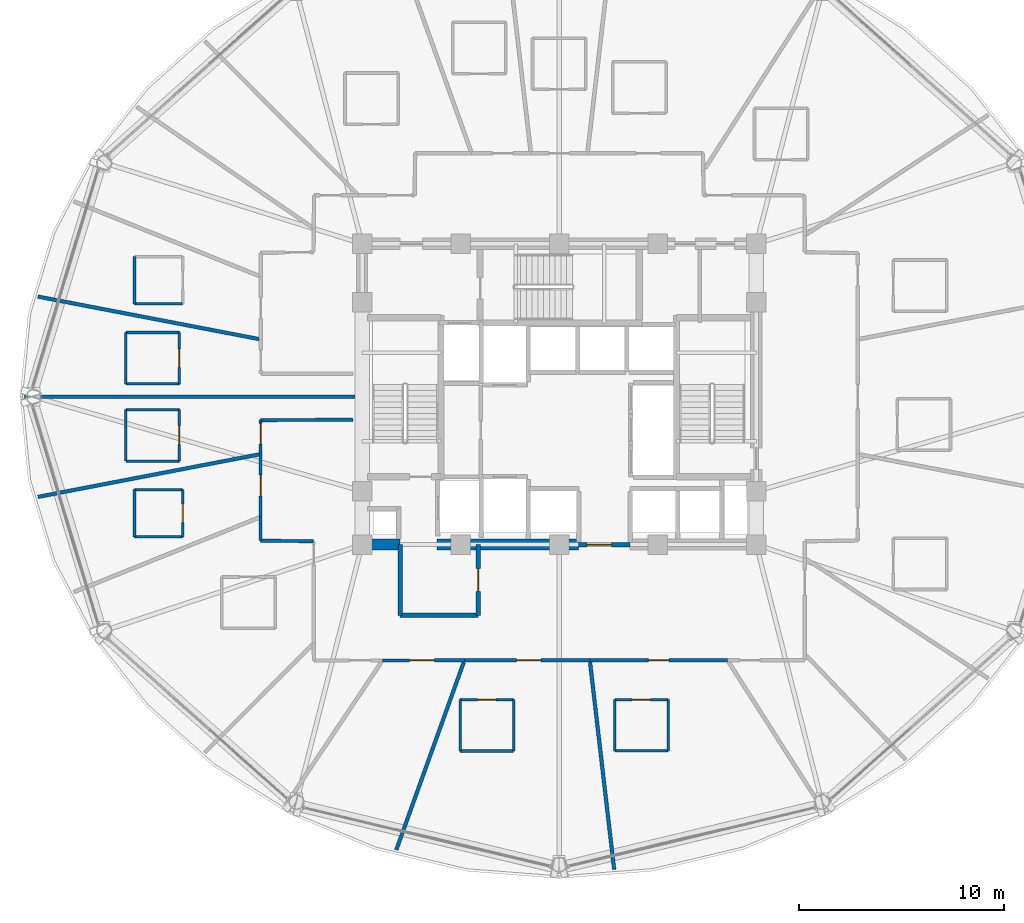
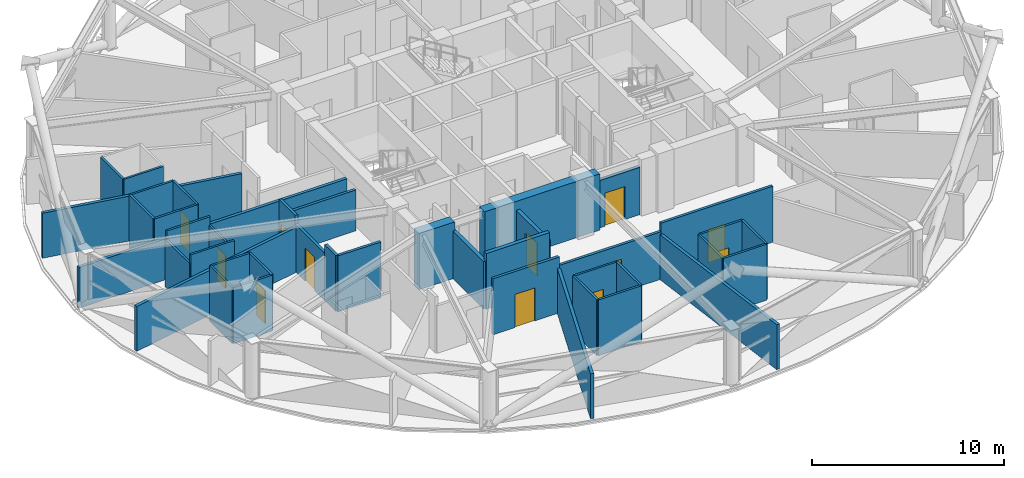
# One storey, part 24 of 32: 41 walls, 12 doors, 12 openings.
"""IFC4 building model written with IfcOpenShell, lengths in metres."""

from ifc_helpers import new_model, si_unit, direction, frame, frame_2d, origin, place, context, subcontext, project, spatial, rectangle, extrude, material, layer, layer_set, type_object, element, fill, save


model = new_model("IFC4")

# Units and contexts
model_context = context("Model", 3, precision=1e-05, world=origin(), true_north=direction((0.0, 1.0)))
body_context = subcontext(model_context, "Body", "Model", "MODEL_VIEW")
ifc_project = project(units=[si_unit("LENGTHUNIT", "METRE"), si_unit("AREAUNIT", "SQUARE_METRE"), si_unit("VOLUMEUNIT", "CUBIC_METRE"), si_unit("PLANEANGLEUNIT", "RADIAN"), si_unit("MASSUNIT", "GRAM", prefix="KILO")], contexts=[model_context])

# Site, building, storey
site_placement = place(None, origin())
site = spatial("IfcSite", under=ifc_project, at=site_placement, CompositionType="ELEMENT")
building_placement = place(site_placement, origin())
building = spatial("IfcBuilding", under=site, at=building_placement, Name="Vantalir Tower", CompositionType="ELEMENT")
storey_placement = place(building_placement, frame((0.0, 0.0, 104.699951171875)))
storey = spatial("IfcBuildingStorey", under=building, at=storey_placement, Name="L25", CompositionType="ELEMENT", Elevation=104.699951171875)

# Walls
ifc_material_1 = material(Name="Moisture-resistant en-suite partition", Category="gypsum")
ifc_layer_1 = layer(ifc_material_1, 0.125)
ifc_layer_set_1 = layer_set([ifc_layer_1], Name="Moisture-resistant en-suite partition")
wall_type_1 = type_object("IfcWallType", Name="WL-BATH-125", PredefinedType="PARTITIONING", material=ifc_layer_set_1)
wall_1_placement = place(storey_placement, frame((10.81396484375, 29.529052734375, 0.0), z_axis=(0.0, 0.0, 1.0), x_axis=(1.0, 0.0, 0.0)))
element("IfcWall", 1, at=wall_1_placement, inside=storey, type_object=wall_type_1, Name="L25 En-suite 09 South Wall", PredefinedType="PARTITIONING", context=body_context, shape_type="SweptSolid", body=[
    extrude(rectangle(XDim=2.35009765625, YDim=0.125, at=frame_2d((1.175048828125, 0.0))), origin(), (0.0, 0.0, 1.0), 3.550048828125),
])
wall_2_placement = place(storey_placement, frame((10.81396484375, 29.529052734375, 0.0), z_axis=(0.0, 0.0, 1.0), x_axis=(0.0, 1.0, 0.0)))
element("IfcWall", 2, at=wall_2_placement, inside=storey, type_object=wall_type_1, Name="L25 En-suite 09 West Wall", PredefinedType="PARTITIONING", context=body_context, shape_type="SweptSolid", body=[
    extrude(rectangle(XDim=2.300048828125, YDim=0.125, at=frame_2d((1.14990234375, 0.0))), origin(), (0.0, 0.0, 1.0), 3.550048828125),
])
for number, where, z_axis, x_axis, name in (
    (3, (10.39501953125, 25.631103515625, 0.0), (0.0, 0.0, 1.0), (1.0, 0.0, 0.0), "L25 En-suite 10 South Wall"),
    (4, (10.39501953125, 28.131103515625, 0.0), (0.0, 0.0, 1.0), (1.0, 0.0, 0.0), "L25 En-suite 10 North Wall"),
):
    element("IfcWall", number, at=place(storey_placement, frame(where, z_axis=z_axis, x_axis=x_axis)), inside=storey, type_object=wall_type_1, Name=name, PredefinedType="PARTITIONING", context=body_context, shape_type="SweptSolid", body=[
        extrude(rectangle(XDim=2.60009765625, YDim=0.125, at=frame_2d((1.300048828125, 0.0))), origin(), (0.0, 0.0, 1.0), 3.550048828125),
    ])
wall_3_placement = place(storey_placement, frame((10.39501953125, 25.631103515625, 0.0), z_axis=(0.0, 0.0, 1.0), x_axis=(0.0, 1.0, 0.0)))
element("IfcWall", 5, at=wall_3_placement, inside=storey, type_object=wall_type_1, Name="L25 En-suite 10 West Wall", PredefinedType="PARTITIONING", context=body_context, shape_type="SweptSolid", body=[
    extrude(rectangle(XDim=2.5, YDim=0.125, at=frame_2d((1.25, 0.0))), origin(), (0.0, 0.0, 1.0), 3.550048828125),
])

# Wall, opening, door
wall_4_placement = place(storey_placement, frame((12.9951171875, 25.631103515625, 0.0), z_axis=(0.0, 0.0, 1.0), x_axis=(0.0, 1.0, 0.0)))
wall_4 = element("IfcWall", 6, at=wall_4_placement, inside=storey, type_object=wall_type_1, Name="L25 En-suite 10 East Wall", PredefinedType="PARTITIONING", context=body_context, shape_type="SweptSolid", body=[
    extrude(rectangle(XDim=2.5, YDim=0.125, at=frame_2d((1.25, 0.0))), origin(), (0.0, 0.0, 1.0), 3.550048828125),
])
opening_1_placement = place(wall_4_placement, frame((0.800048828125, 0.0, 0.0)))
opening_1 = element("IfcOpeningElement", 7, at=opening_1_placement, cuts=wall_4, Name="Opening D-WC", PredefinedType="OPENING", context=body_context, shape_type="SweptSolid", body=[
    extrude(rectangle(XDim=0.89990234375, YDim=2.10009765625, at=frame_2d((0.449951171875, 1.050048828125))), frame((0.0, 0.072509765625, 0.0), z_axis=(0.0, -1.0, 0.0), x_axis=(1.0, 0.0, 0.0)), (0.0, 0.0, 1.0), 0.14501953125),
])
ifc_material_2 = material(Name="Moisture-resistant hardwood door", Category="wood")
door_type_1 = type_object("IfcDoorType", Name="DR-ENSUITE-900", OperationType="NOTDEFINED", PredefinedType="DOOR", material=ifc_material_2)
door_1_placement = place(opening_1_placement, origin())
door_1 = element("IfcDoor", 8, at=door_1_placement, inside=storey, type_object=door_type_1, Name="L25 En-suite 10 Door", OperationType="SINGLE_SWING_RIGHT", OverallHeight=2.10009765625, OverallWidth=0.89990234375, PredefinedType="DOOR", context=body_context, shape_type="SweptSolid", body=[
    extrude(rectangle(XDim=0.89990234375, YDim=2.10009765625, at=frame_2d((0.449951171875, 1.050048828125))), frame((0.0, 0.02490234375, 0.0), z_axis=(0.0, -1.0, 0.0), x_axis=(1.0, 0.0, 0.0)), (0.0, 0.0, 1.0), 0.050048828125),
])
fill(opening_1, door_1)

# Walls
for number, where, z_axis, x_axis, name in (
    (9, (10.39501953125, 21.868896484375, 0.0), (0.0, 0.0, 1.0), (1.0, 0.0, 0.0), "L25 En-suite 11 South Wall"),
    (10, (10.39501953125, 24.368896484375, 0.0), (0.0, 0.0, 1.0), (1.0, 0.0, 0.0), "L25 En-suite 11 North Wall"),
):
    element("IfcWall", number, at=place(storey_placement, frame(where, z_axis=z_axis, x_axis=x_axis)), inside=storey, type_object=wall_type_1, Name=name, PredefinedType="PARTITIONING", context=body_context, shape_type="SweptSolid", body=[
        extrude(rectangle(XDim=2.60009765625, YDim=0.125, at=frame_2d((1.300048828125, 0.0))), origin(), (0.0, 0.0, 1.0), 3.550048828125),
    ])
wall_5_placement = place(storey_placement, frame((10.39501953125, 21.868896484375, 0.0), z_axis=(0.0, 0.0, 1.0), x_axis=(0.0, 1.0, 0.0)))
element("IfcWall", 11, at=wall_5_placement, inside=storey, type_object=wall_type_1, Name="L25 En-suite 11 West Wall", PredefinedType="PARTITIONING", context=body_context, shape_type="SweptSolid", body=[
    extrude(rectangle(XDim=2.5, YDim=0.125, at=frame_2d((1.25, 0.0))), origin(), (0.0, 0.0, 1.0), 3.006103515625),
])

# Wall, opening, door
wall_6_placement = place(storey_placement, frame((12.9951171875, 21.868896484375, 0.0), z_axis=(0.0, 0.0, 1.0), x_axis=(0.0, 1.0, 0.0)))
wall_6 = element("IfcWall", 12, at=wall_6_placement, inside=storey, type_object=wall_type_1, Name="L25 En-suite 11 East Wall", PredefinedType="PARTITIONING", context=body_context, shape_type="SweptSolid", body=[
    extrude(rectangle(XDim=2.5, YDim=0.125, at=frame_2d((1.25, 0.0))), origin(), (0.0, 0.0, 1.0), 3.006103515625),
])
opening_2_placement = place(wall_6_placement, frame((0.800048828125, 0.0, 0.0)))
opening_2 = element("IfcOpeningElement", 13, at=opening_2_placement, cuts=wall_6, Name="Opening D-WC", PredefinedType="OPENING", context=body_context, shape_type="SweptSolid", body=[
    extrude(rectangle(XDim=0.89990234375, YDim=2.10009765625, at=frame_2d((0.449951171875, 1.050048828125))), frame((0.0, 0.072509765625, 0.0), z_axis=(0.0, -1.0, 0.0), x_axis=(1.0, 0.0, 0.0)), (0.0, 0.0, 1.0), 0.14501953125),
])
door_2_placement = place(opening_2_placement, origin())
door_2 = element("IfcDoor", 14, at=door_2_placement, inside=storey, type_object=door_type_1, Name="L25 En-suite 11 Door", OperationType="SINGLE_SWING_LEFT", OverallHeight=2.10009765625, OverallWidth=0.89990234375, PredefinedType="DOOR", context=body_context, shape_type="SweptSolid", body=[
    extrude(rectangle(XDim=0.89990234375, YDim=2.10009765625, at=frame_2d((0.449951171875, 1.050048828125))), frame((0.0, 0.02490234375, 0.0), z_axis=(0.0, -1.0, 0.0), x_axis=(1.0, 0.0, 0.0)), (0.0, 0.0, 1.0), 0.050048828125),
])
fill(opening_2, door_2)

# Walls
for number, where, z_axis, x_axis, name in (
    (15, (10.81396484375, 18.1708984375, 0.0), (0.0, 0.0, 1.0), (1.0, 0.0, 0.0), "L25 En-suite 12 South Wall"),
    (16, (10.81396484375, 20.470947265625, 0.0), (0.0, 0.0, 1.0), (1.0, 0.0, 0.0), "L25 En-suite 12 North Wall"),
):
    element("IfcWall", number, at=place(storey_placement, frame(where, z_axis=z_axis, x_axis=x_axis)), inside=storey, type_object=wall_type_1, Name=name, PredefinedType="PARTITIONING", context=body_context, shape_type="SweptSolid", body=[
        extrude(rectangle(XDim=2.35009765625, YDim=0.125, at=frame_2d((1.175048828125, 0.0))), origin(), (0.0, 0.0, 1.0), 3.550048828125),
    ])
wall_7_placement = place(storey_placement, frame((10.81396484375, 18.1708984375, 0.0), z_axis=(0.0, 0.0, 1.0), x_axis=(0.0, 1.0, 0.0)))
element("IfcWall", 17, at=wall_7_placement, inside=storey, type_object=wall_type_1, Name="L25 En-suite 12 West Wall", PredefinedType="PARTITIONING", context=body_context, shape_type="SweptSolid", body=[
    extrude(rectangle(XDim=2.300048828125, YDim=0.125, at=frame_2d((1.14990234375, 0.0))), origin(), (0.0, 0.0, 1.0), 3.550048828125),
])

# Wall, opening, door
wall_8_placement = place(storey_placement, frame((13.1640625, 18.1708984375, 0.0), z_axis=(0.0, 0.0, 1.0), x_axis=(0.0, 1.0, 0.0)))
wall_8 = element("IfcWall", 18, at=wall_8_placement, inside=storey, type_object=wall_type_1, Name="L25 En-suite 12 East Wall", PredefinedType="PARTITIONING", context=body_context, shape_type="SweptSolid", body=[
    extrude(rectangle(XDim=2.300048828125, YDim=0.125, at=frame_2d((1.14990234375, 0.0))), origin(), (0.0, 0.0, 1.0), 3.550048828125),
])
opening_3_placement = place(wall_8_placement, frame((0.699951171875, 0.0, 0.0)))
opening_3 = element("IfcOpeningElement", 19, at=opening_3_placement, cuts=wall_8, Name="Opening D-WC", PredefinedType="OPENING", context=body_context, shape_type="SweptSolid", body=[
    extrude(rectangle(XDim=0.89990234375, YDim=2.10009765625, at=frame_2d((0.449951171875, 1.050048828125))), frame((0.0, 0.072509765625, 0.0), z_axis=(0.0, -1.0, 0.0), x_axis=(1.0, 0.0, 0.0)), (0.0, 0.0, 1.0), 0.14501953125),
])
door_3_placement = place(opening_3_placement, origin())
door_3 = element("IfcDoor", 20, at=door_3_placement, inside=storey, type_object=door_type_1, Name="L25 En-suite 12 Door", OperationType="SINGLE_SWING_RIGHT", OverallHeight=2.10009765625, OverallWidth=0.89990234375, PredefinedType="DOOR", context=body_context, shape_type="SweptSolid", body=[
    extrude(rectangle(XDim=0.89990234375, YDim=2.10009765625, at=frame_2d((0.449951171875, 1.050048828125))), frame((0.0, 0.02490234375, 0.0), z_axis=(0.0, -1.0, 0.0), x_axis=(1.0, 0.0, 0.0)), (0.0, 0.0, 1.0), 0.050048828125),
])
fill(opening_3, door_3)

# Wall
wall_9_placement = place(storey_placement, frame((26.679931640625, 7.74609375, 0.0), z_axis=(0.0, 0.0, 1.0), x_axis=(1.0, 0.0, 0.0)))
element("IfcWall", 21, at=wall_9_placement, inside=storey, type_object=wall_type_1, Name="L25 En-suite 16 South Wall", PredefinedType="PARTITIONING", context=body_context, shape_type="SweptSolid", body=[
    extrude(rectangle(XDim=2.60009765625, YDim=0.125, at=frame_2d((1.300048828125, 0.0))), origin(), (0.0, 0.0, 1.0), 3.550048828125),
])

# Wall, opening, door
wall_10_placement = place(storey_placement, frame((26.679931640625, 10.24609375, 0.0), z_axis=(0.0, 0.0, 1.0), x_axis=(1.0, 0.0, 0.0)))
wall_10 = element("IfcWall", 22, at=wall_10_placement, inside=storey, type_object=wall_type_1, Name="L25 En-suite 16 North Wall", PredefinedType="PARTITIONING", context=body_context, shape_type="SweptSolid", body=[
    extrude(rectangle(XDim=2.60009765625, YDim=0.125, at=frame_2d((1.300048828125, 0.0))), origin(), (0.0, 0.0, 1.0), 3.550048828125),
])
opening_4_placement = place(wall_10_placement, frame((0.85009765625, 0.0, 0.0)))
opening_4 = element("IfcOpeningElement", 23, at=opening_4_placement, cuts=wall_10, Name="Opening D-WC", PredefinedType="OPENING", context=body_context, shape_type="SweptSolid", body=[
    extrude(rectangle(XDim=0.89990234375, YDim=2.10009765625, at=frame_2d((0.449951171875, 1.050048828125))), frame((0.0, 0.072509765625, 0.0), z_axis=(0.0, -1.0, 0.0), x_axis=(1.0, 0.0, 0.0)), (0.0, 0.0, 1.0), 0.14501953125),
])
door_4_placement = place(opening_4_placement, frame((0.89990234375, 0.0, 0.0), z_axis=(0.0, 0.0, 1.0), x_axis=(-1.0, 0.0, 0.0)))
door_4 = element("IfcDoor", 24, at=door_4_placement, inside=storey, type_object=door_type_1, Name="L25 En-suite 16 Door", OperationType="SINGLE_SWING_RIGHT", OverallHeight=2.10009765625, OverallWidth=0.89990234375, PredefinedType="DOOR", context=body_context, shape_type="SweptSolid", body=[
    extrude(rectangle(XDim=0.89990234375, YDim=2.10009765625, at=frame_2d((0.449951171875, 1.050048828125))), frame((0.0, 0.02490234375, 0.0), z_axis=(0.0, -1.0, 0.0), x_axis=(1.0, 0.0, 0.0)), (0.0, 0.0, 1.0), 0.050048828125),
])
fill(opening_4, door_4)

# Walls
for number, where, z_axis, x_axis, name in (
    (25, (26.679931640625, 7.74609375, 0.0), (0.0, 0.0, 1.0), (0.0, 1.0, 0.0), "L25 En-suite 16 West Wall"),
    (26, (29.280029296875, 7.74609375, 0.0), (0.0, 0.0, 1.0), (0.0, 1.0, 0.0), "L25 En-suite 16 East Wall"),
):
    element("IfcWall", number, at=place(storey_placement, frame(where, z_axis=z_axis, x_axis=x_axis)), inside=storey, type_object=wall_type_1, Name=name, PredefinedType="PARTITIONING", context=body_context, shape_type="SweptSolid", body=[
        extrude(rectangle(XDim=2.5, YDim=0.125, at=frame_2d((1.25, 0.0))), origin(), (0.0, 0.0, 1.0), 3.550048828125),
    ])
wall_11_placement = place(storey_placement, frame((34.20703125, 7.7509765625, 0.0), z_axis=(0.0, 0.0, 1.0), x_axis=(1.0, 0.0, 0.0)))
element("IfcWall", 27, at=wall_11_placement, inside=storey, type_object=wall_type_1, Name="L25 En-suite 17 South Wall", PredefinedType="PARTITIONING", context=body_context, shape_type="SweptSolid", body=[
    extrude(rectangle(XDim=2.599853515625, YDim=0.125, at=frame_2d((1.2998046875, 0.0))), origin(), (0.0, 0.0, 1.0), 3.550048828125),
])

# Wall, opening, door
wall_12_placement = place(storey_placement, frame((34.20703125, 10.2509765625, 0.0), z_axis=(0.0, 0.0, 1.0), x_axis=(1.0, 0.0, 0.0)))
wall_12 = element("IfcWall", 28, at=wall_12_placement, inside=storey, type_object=wall_type_1, Name="L25 En-suite 17 North Wall", PredefinedType="PARTITIONING", context=body_context, shape_type="SweptSolid", body=[
    extrude(rectangle(XDim=2.599853515625, YDim=0.125, at=frame_2d((1.2998046875, 0.0))), origin(), (0.0, 0.0, 1.0), 3.550048828125),
])
opening_5_placement = place(wall_12_placement, frame((0.85009765625, 0.0, 0.0)))
opening_5 = element("IfcOpeningElement", 29, at=opening_5_placement, cuts=wall_12, Name="Opening D-WC", PredefinedType="OPENING", context=body_context, shape_type="SweptSolid", body=[
    extrude(rectangle(XDim=0.89990234375, YDim=2.10009765625, at=frame_2d((0.449951171875, 1.050048828125))), frame((0.0, 0.072509765625, 0.0), z_axis=(0.0, -1.0, 0.0), x_axis=(1.0, 0.0, 0.0)), (0.0, 0.0, 1.0), 0.14501953125),
])
door_5_placement = place(opening_5_placement, frame((0.89990234375, 0.0, 0.0), z_axis=(0.0, 0.0, 1.0), x_axis=(-1.0, 0.0, 0.0)))
door_5 = element("IfcDoor", 30, at=door_5_placement, inside=storey, type_object=door_type_1, Name="L25 En-suite 17 Door", OperationType="SINGLE_SWING_LEFT", OverallHeight=2.10009765625, OverallWidth=0.89990234375, PredefinedType="DOOR", context=body_context, shape_type="SweptSolid", body=[
    extrude(rectangle(XDim=0.89990234375, YDim=2.10009765625, at=frame_2d((0.449951171875, 1.050048828125))), frame((0.0, 0.02490234375, 0.0), z_axis=(0.0, -1.0, 0.0), x_axis=(1.0, 0.0, 0.0)), (0.0, 0.0, 1.0), 0.050048828125),
])
fill(opening_5, door_5)

# Walls
for number, where, z_axis, x_axis, name in (
    (31, (34.20703125, 7.7509765625, 0.0), (0.0, 0.0, 1.0), (0.0, 1.0, 0.0), "L25 En-suite 17 West Wall"),
    (32, (36.806884765625, 7.7509765625, 0.0), (0.0, 0.0, 1.0), (0.0, 1.0, 0.0), "L25 En-suite 17 East Wall"),
):
    element("IfcWall", number, at=place(storey_placement, frame(where, z_axis=z_axis, x_axis=x_axis)), inside=storey, type_object=wall_type_1, Name=name, PredefinedType="PARTITIONING", context=body_context, shape_type="SweptSolid", body=[
        extrude(rectangle(XDim=2.5, YDim=0.125, at=frame_2d((1.25, 0.0))), origin(), (0.0, 0.0, 1.0), 3.550048828125),
    ])
ifc_material_3 = material(Name="Concrete C60/75", Category="concrete")
ifc_layer_2 = layer(ifc_material_3, 0.550048828125)
ifc_layer_set_2 = layer_set([ifc_layer_2], Name="Concrete C60/75")
wall_type_2 = type_object("IfcWallType", Name="WL-CORE-550", PredefinedType="SHEAR", material=ifc_layer_set_2)
wall_13_placement = place(storey_placement, frame((21.625, 17.800048828125, 0.0), z_axis=(0.0, 0.0, 1.0), x_axis=(1.0, 0.0, 0.0)))
element("IfcWall", 33, at=wall_13_placement, inside=storey, type_object=wall_type_2, Name="L25 Core Shear Wall South-West", PredefinedType="SHEAR", context=body_context, shape_type="SweptSolid", body=[
    extrude(rectangle(XDim=2.125, YDim=0.550048828125, at=frame_2d((1.0625, 0.0))), origin(), (0.0, 0.0, 1.0), 3.570068359375),
])
wall_14_placement = place(storey_placement, frame((25.550048828125, 17.800048828125, 0.0), z_axis=(0.0, 0.0, 1.0), x_axis=(1.0, 0.0, 0.0)))
element("IfcWall", 34, at=wall_14_placement, inside=storey, type_object=wall_type_2, Name="L25 Core Shear Wall South-Mid", PredefinedType="SHEAR", context=body_context, shape_type="SweptSolid", body=[
    extrude(rectangle(XDim=6.89990234375, YDim=0.550048828125, at=frame_2d((3.449951171875, 0.0))), origin(), (0.0, 0.0, 1.0), 3.570068359375),
])

# Wall, opening, door
ifc_material_4 = material(Name="Fire-rated hotel corridor acoustic partition", Category="gypsum")
ifc_layer_3 = layer(ifc_material_4, 0.159912109375)
ifc_layer_set_3 = layer_set([ifc_layer_3], Name="Fire-rated hotel corridor acoustic partition")
wall_type_3 = type_object("IfcWallType", Name="WL-CORR-160", PredefinedType="PARTITIONING", material=ifc_layer_set_3)
wall_15_placement = place(storey_placement, frame((39.697998046875, 12.166015625, 0.0), z_axis=(0.0, 0.0, 1.0), x_axis=(-0.999999904544, -0.000436935583, 0.0)))
wall_15 = element("IfcWall", 35, at=wall_15_placement, inside=storey, type_object=wall_type_3, Name="L25 Corridor Partition 28", PredefinedType="PARTITIONING", context=body_context, shape_type="SweptSolid", body=[
    extrude(rectangle(XDim=6.705078125, YDim=0.159912109375, at=frame_2d((3.3525390625, 0.0))), origin(), (0.0, 0.0, 1.0), 3.550048828125),
])
opening_6_placement = place(wall_15_placement, frame((2.85302734375, 0.0, 0.0)))
opening_6 = element("IfcOpeningElement", 36, at=opening_6_placement, cuts=wall_15, Name="Opening D-GUEST", PredefinedType="OPENING", context=body_context, shape_type="SweptSolid", body=[
    extrude(rectangle(XDim=1.0, YDim=2.10009765625, at=frame_2d((0.5, 1.050048828125))), frame((0.0, 0.08984375, 0.0), z_axis=(0.0, -1.0, 0.0), x_axis=(1.0, 0.0, 0.0)), (0.0, 0.0, 1.0), 0.179931640625),
])
ifc_material_5 = material(Name="Solid-core teak veneer acoustic fire door", Category="wood")
door_type_2 = type_object("IfcDoorType", Name="DR-GUEST-ENTRY-1000", OperationType="NOTDEFINED", PredefinedType="DOOR", material=ifc_material_5)
door_6_placement = place(opening_6_placement, origin())
door_6 = element("IfcDoor", 37, at=door_6_placement, inside=storey, type_object=door_type_2, Name="L25 Deluxe King Hotel Room 17 Door", OperationType="SINGLE_SWING_LEFT", OverallHeight=2.10009765625, OverallWidth=1.0, PredefinedType="DOOR", context=body_context, shape_type="SweptSolid", body=[
    extrude(rectangle(XDim=1.0, YDim=2.10009765625, at=frame_2d((0.5, 1.050048828125))), frame((0.0, 0.02490234375, 0.0), z_axis=(0.0, -1.0, 0.0), x_axis=(1.0, 0.0, 0.0)), (0.0, 0.0, 1.0), 0.050048828125),
])
fill(opening_6, door_6)

wall_16_placement = place(storey_placement, frame((32.992919921875, 12.1630859375, 0.0), z_axis=(0.0, 0.0, 1.0), x_axis=(-0.999999864995, -0.000519625799, 0.0)))
wall_16 = element("IfcWall", 38, at=wall_16_placement, inside=storey, type_object=wall_type_3, Name="L25 Corridor Partition 29", PredefinedType="PARTITIONING", context=body_context, shape_type="SweptSolid", body=[
    extrude(rectangle(XDim=6.10791015625, YDim=0.159912109375, at=frame_2d((3.053955078125, 0.0))), origin(), (0.0, 0.0, 1.0), 3.006103515625),
])
opening_7_placement = place(wall_16_placement, frame((2.3798828125, 0.0, 0.0)))
opening_7 = element("IfcOpeningElement", 39, at=opening_7_placement, cuts=wall_16, Name="Opening D-STE", PredefinedType="OPENING", context=body_context, shape_type="SweptSolid", body=[
    extrude(rectangle(XDim=1.199951171875, YDim=2.10009765625, at=frame_2d((0.60009765625, 1.050048828125))), frame((0.0, 0.08984375, 0.0), z_axis=(0.0, -1.0, 0.0), x_axis=(1.0, 0.0, 0.0)), (0.0, 0.0, 1.0), 0.179931640625),
])
ifc_material_6 = material(Name="Solid-core teak veneer suite entrance door", Category="wood")
door_type_3 = type_object("IfcDoorType", Name="DR-SUITE-ENTRY-1200", OperationType="NOTDEFINED", PredefinedType="DOOR", material=ifc_material_6)
door_7_placement = place(opening_7_placement, origin())
door_7 = element("IfcDoor", 40, at=door_7_placement, inside=storey, type_object=door_type_3, Name="L25 Corner Panorama Hotel Suite 16 Door", OperationType="SINGLE_SWING_RIGHT", OverallHeight=2.10009765625, OverallWidth=1.199951171875, PredefinedType="DOOR", context=body_context, shape_type="SweptSolid", body=[
    extrude(rectangle(XDim=1.199951171875, YDim=2.10009765625, at=frame_2d((0.60009765625, 1.050048828125))), frame((0.0, 0.02490234375, 0.0), z_axis=(0.0, -1.0, 0.0), x_axis=(1.0, 0.0, 0.0)), (0.0, 0.0, 1.0), 0.050048828125),
])
fill(opening_7, door_7)

wall_17_placement = place(storey_placement, frame((26.885009765625, 12.159912109375, 0.0), z_axis=(0.0, 0.0, 1.0), x_axis=(-0.999999880133, -0.000489625989, 0.0)))
wall_17 = element("IfcWall", 41, at=wall_17_placement, inside=storey, type_object=wall_type_3, Name="L25 Corridor Partition 30", PredefinedType="PARTITIONING", context=body_context, shape_type="SweptSolid", body=[
    extrude(rectangle(XDim=3.989013671875, YDim=0.159912109375, at=frame_2d((1.99462890625, 0.0))), origin(), (0.0, 0.0, 1.0), 3.550048828125),
])
opening_8_placement = place(wall_17_placement, frame((1.467041015625, 0.0, 0.0)))
opening_8 = element("IfcOpeningElement", 42, at=opening_8_placement, cuts=wall_17, Name="Opening D-STE", PredefinedType="OPENING", context=body_context, shape_type="SweptSolid", body=[
    extrude(rectangle(XDim=1.199951171875, YDim=2.10009765625, at=frame_2d((0.60009765625, 1.050048828125))), frame((0.0, 0.08984375, 0.0), z_axis=(0.0, -1.0, 0.0), x_axis=(1.0, 0.0, 0.0)), (0.0, 0.0, 1.0), 0.179931640625),
])
door_8_placement = place(opening_8_placement, origin())
door_8 = element("IfcDoor", 43, at=door_8_placement, inside=storey, type_object=door_type_3, Name="L25 Club Reading Lounge 15 Door", OperationType="SINGLE_SWING_LEFT", OverallHeight=2.10009765625, OverallWidth=1.199951171875, PredefinedType="DOOR", context=body_context, shape_type="SweptSolid", body=[
    extrude(rectangle(XDim=1.199951171875, YDim=2.10009765625, at=frame_2d((0.60009765625, 1.050048828125))), frame((0.0, 0.02490234375, 0.0), z_axis=(0.0, -1.0, 0.0), x_axis=(1.0, 0.0, 0.0)), (0.0, 0.0, 1.0), 0.050048828125),
])
fill(opening_8, door_8)

# Walls
wall_18_placement = place(storey_placement, frame((19.534912109375, 17.9599609375, 0.0), z_axis=(0.0, 0.0, 1.0), x_axis=(-0.999923106799, 0.012400826185, 0.0)))
element("IfcWall", 44, at=wall_18_placement, inside=storey, type_object=wall_type_3, Name="L25 Corridor Partition 34", PredefinedType="PARTITIONING", context=body_context, shape_type="SweptSolid", body=[
    extrude(rectangle(XDim=2.5791015625, YDim=0.159912109375, at=frame_2d((1.28955078125, 0.0))), origin(), (0.0, 0.0, 1.0), 3.550048828125),
])
wall_19_placement = place(storey_placement, frame((16.9560546875, 17.991943359375, 0.0), z_axis=(0.0, 0.0, 1.0), x_axis=(0.0, 1.0, 0.0)))
element("IfcWall", 45, at=wall_19_placement, inside=storey, type_object=wall_type_3, Name="L25 Corridor Partition 35", PredefinedType="PARTITIONING", context=body_context, shape_type="SweptSolid", body=[
    extrude(rectangle(XDim=1.155029296875, YDim=0.159912109375, at=frame_2d((0.57763671875, 0.0))), origin(), (0.0, 0.0, 1.0), 3.550048828125),
])

# Wall, opening, door
wall_20_placement = place(storey_placement, frame((16.9560546875, 19.14697265625, 0.0), z_axis=(0.0, 0.0, 1.0), x_axis=(0.0, 1.0, 0.0)))
wall_20 = element("IfcWall", 46, at=wall_20_placement, inside=storey, type_object=wall_type_3, Name="L25 Corridor Partition 36", PredefinedType="PARTITIONING", context=body_context, shape_type="SweptSolid", body=[
    extrude(rectangle(XDim=3.05908203125, YDim=0.159912109375, at=frame_2d((1.529541015625, 0.0))), origin(), (0.0, 0.0, 1.0), 3.006103515625),
])
opening_9_placement = place(wall_20_placement, frame((1.030029296875, 0.0, 0.0)))
opening_9 = element("IfcOpeningElement", 47, at=opening_9_placement, cuts=wall_20, Name="Opening D-GUEST", PredefinedType="OPENING", context=body_context, shape_type="SweptSolid", body=[
    extrude(rectangle(XDim=1.0, YDim=2.10009765625, at=frame_2d((0.5, 1.050048828125))), frame((0.0, 0.08984375, 0.0), z_axis=(0.0, -1.0, 0.0), x_axis=(1.0, 0.0, 0.0)), (0.0, 0.0, 1.0), 0.179931640625),
])
door_9_placement = place(opening_9_placement, origin())
door_9 = element("IfcDoor", 48, at=door_9_placement, inside=storey, type_object=door_type_2, Name="L25 Twin Queen Hotel Room 12 Door", OperationType="SINGLE_SWING_RIGHT", OverallHeight=2.10009765625, OverallWidth=1.0, PredefinedType="DOOR", context=body_context, shape_type="SweptSolid", body=[
    extrude(rectangle(XDim=1.0, YDim=2.10009765625, at=frame_2d((0.5, 1.050048828125))), frame((0.0, 0.02490234375, 0.0), z_axis=(0.0, -1.0, 0.0), x_axis=(1.0, 0.0, 0.0)), (0.0, 0.0, 1.0), 0.050048828125),
])
fill(opening_9, door_9)

wall_21_placement = place(storey_placement, frame((16.9560546875, 22.2060546875, 0.0), z_axis=(0.0, 0.0, 1.0), x_axis=(0.0, 1.0, 0.0)))
wall_21 = element("IfcWall", 49, at=wall_21_placement, inside=storey, type_object=wall_type_3, Name="L25 Corridor Partition 37", PredefinedType="PARTITIONING", context=body_context, shape_type="SweptSolid", body=[
    extrude(rectangle(XDim=1.65185546875, YDim=0.159912109375, at=frame_2d((0.825927734375, 0.0))), origin(), (0.0, 0.0, 1.0), 3.550048828125),
])
opening_10_placement = place(wall_21_placement, frame((0.491943359375, 0.0, 0.0)))
opening_10 = element("IfcOpeningElement", 50, at=opening_10_placement, cuts=wall_21, Name="Opening D-GUEST", PredefinedType="OPENING", context=body_context, shape_type="SweptSolid", body=[
    extrude(rectangle(XDim=1.0, YDim=2.10009765625, at=frame_2d((0.5, 1.050048828125))), frame((0.0, 0.08984375, 0.0), z_axis=(0.0, -1.0, 0.0), x_axis=(1.0, 0.0, 0.0)), (0.0, 0.0, 1.0), 0.179931640625),
])
door_10_placement = place(opening_10_placement, origin())
door_10 = element("IfcDoor", 51, at=door_10_placement, inside=storey, type_object=door_type_2, Name="L25 Deluxe King Hotel Room 11 Door", OperationType="SINGLE_SWING_LEFT", OverallHeight=2.10009765625, OverallWidth=1.0, PredefinedType="DOOR", context=body_context, shape_type="SweptSolid", body=[
    extrude(rectangle(XDim=1.0, YDim=2.10009765625, at=frame_2d((0.5, 1.050048828125))), frame((0.0, 0.02490234375, 0.0), z_axis=(0.0, -1.0, 0.0), x_axis=(1.0, 0.0, 0.0)), (0.0, 0.0, 1.0), 0.050048828125),
])
fill(opening_10, door_10)

# Wall
wall_22_placement = place(storey_placement, frame((16.9560546875, 23.85791015625, 0.0), z_axis=(0.0, 0.0, 1.0), x_axis=(0.999983068136, 0.005819230342, 0.0)))
element("IfcWall", 52, at=wall_22_placement, inside=storey, type_object=wall_type_3, Name="L25 Corridor Partition 38", PredefinedType="PARTITIONING", context=body_context, shape_type="SweptSolid", body=[
    extrude(rectangle(XDim=4.489013671875, YDim=0.159912109375, at=frame_2d((2.24462890625, 0.0))), origin(), (0.0, 0.0, 1.0), 2.594970703125),
])

# Wall, opening, door
ifc_material_7 = material(Name="Concrete blockwork with fireboard lining", Category="masonry")
ifc_layer_4 = layer(ifc_material_7, 0.219970703125)
ifc_layer_set_4 = layer_set([ifc_layer_4], Name="Concrete blockwork with fireboard lining")
wall_type_4 = type_object("IfcWallType", Name="WL-FFL-220", PredefinedType="PARTITIONING", material=ifc_layer_set_4)
wall_23_placement = place(storey_placement, frame((32.449951171875, 17.800048828125, 0.0), z_axis=(0.0, 0.0, 1.0), x_axis=(1.0, 0.0, 0.0)))
wall_23 = element("IfcWall", 53, at=wall_23_placement, inside=storey, type_object=wall_type_4, Name="L25 Passenger Lift Lobby South Wall", PredefinedType="PARTITIONING", context=body_context, shape_type="SweptSolid", body=[
    extrude(rectangle(XDim=2.5, YDim=0.219970703125, at=frame_2d((1.25, 0.0))), origin(), (0.0, 0.0, 1.0), 3.006103515625),
])
opening_11_placement = place(wall_23_placement, frame((0.39990234375, 0.0, 0.0)))
opening_11 = element("IfcOpeningElement", 54, at=opening_11_placement, cuts=wall_23, Name="Opening D-STE", PredefinedType="OPENING", context=body_context, shape_type="SweptSolid", body=[
    extrude(rectangle(XDim=1.199951171875, YDim=2.10009765625, at=frame_2d((0.60009765625, 1.050048828125))), frame((0.0, 0.119873046875, 0.0), z_axis=(0.0, -1.0, 0.0), x_axis=(1.0, 0.0, 0.0)), (0.0, 0.0, 1.0), 0.239990234375),
])
door_11_placement = place(opening_11_placement, origin())
door_11 = element("IfcDoor", 55, at=door_11_placement, inside=storey, type_object=door_type_3, Name="L25 Passenger Lift Lobby Concourse Door", OperationType="SINGLE_SWING_RIGHT", OverallHeight=2.10009765625, OverallWidth=1.199951171875, PredefinedType="DOOR", context=body_context, shape_type="SweptSolid", body=[
    extrude(rectangle(XDim=1.199951171875, YDim=2.10009765625, at=frame_2d((0.60009765625, 1.050048828125))), frame((0.0, 0.02490234375, 0.0), z_axis=(0.0, -1.0, 0.0), x_axis=(1.0, 0.0, 0.0)), (0.0, 0.0, 1.0), 0.050048828125),
])
fill(opening_11, door_11)

# Walls
wall_24_placement = place(storey_placement, frame((23.75, 14.35009765625, 0.0), z_axis=(0.0, 0.0, 1.0), x_axis=(0.0, 1.0, 0.0)))
element("IfcWall", 56, at=wall_24_placement, inside=storey, type_object=wall_type_4, Name="L25 Firefighting Lobby West Outer W", PredefinedType="PARTITIONING", context=body_context, shape_type="SweptSolid", body=[
    extrude(rectangle(XDim=3.449951171875, YDim=0.219970703125, at=frame_2d((1.72509765625, 0.0))), origin(), (0.0, 0.0, 1.0), 3.006103515625),
])
wall_25_placement = place(storey_placement, frame((23.75, 14.35009765625, 0.0), z_axis=(0.0, 0.0, 1.0), x_axis=(1.0, 0.0, 0.0)))
element("IfcWall", 57, at=wall_25_placement, inside=storey, type_object=wall_type_4, Name="L25 Firefighting Lobby West South Wall", PredefinedType="PARTITIONING", context=body_context, shape_type="SweptSolid", body=[
    extrude(rectangle(XDim=3.800048828125, YDim=0.219970703125, at=frame_2d((1.89990234375, 0.0))), origin(), (0.0, 0.0, 1.0), 3.550048828125),
])

# Wall, opening, door
wall_26_placement = place(storey_placement, frame((27.550048828125, 14.35009765625, 0.0), z_axis=(0.0, 0.0, 1.0), x_axis=(0.0, 1.0, 0.0)))
wall_26 = element("IfcWall", 58, at=wall_26_placement, inside=storey, type_object=wall_type_4, Name="L25 Firefighting Lobby West East Wall", PredefinedType="PARTITIONING", context=body_context, shape_type="SweptSolid", body=[
    extrude(rectangle(XDim=3.449951171875, YDim=0.219970703125, at=frame_2d((1.72509765625, 0.0))), origin(), (0.0, 0.0, 1.0), 3.006103515625),
])
opening_12_placement = place(wall_26_placement, frame((1.175048828125, 0.0, 0.0)))
opening_12 = element("IfcOpeningElement", 59, at=opening_12_placement, cuts=wall_26, Name="Opening D-FFL", PredefinedType="OPENING", context=body_context, shape_type="SweptSolid", body=[
    extrude(rectangle(XDim=1.10009765625, YDim=2.10009765625, at=frame_2d((0.550048828125, 1.050048828125))), frame((0.0, 0.119873046875, 0.0), z_axis=(0.0, -1.0, 0.0), x_axis=(1.0, 0.0, 0.0)), (0.0, 0.0, 1.0), 0.239990234375),
])
ifc_material_8 = material(Name="Fire-rated acoustic steel door", Category="steel")
door_type_4 = type_object("IfcDoorType", Name="DR-FIRE-LOBBY-1100", OperationType="NOTDEFINED", PredefinedType="DOOR", material=ifc_material_8)
door_12_placement = place(opening_12_placement, origin())
door_12 = element("IfcDoor", 60, at=door_12_placement, inside=storey, type_object=door_type_4, Name="L25 Firefighting Lobby West Access Door", OperationType="SINGLE_SWING_RIGHT", OverallHeight=2.10009765625, OverallWidth=1.10009765625, PredefinedType="DOOR", context=body_context, shape_type="SweptSolid", body=[
    extrude(rectangle(XDim=1.10009765625, YDim=2.10009765625, at=frame_2d((0.550048828125, 1.050048828125))), frame((0.0, 0.02490234375, 0.0), z_axis=(0.0, -1.0, 0.0), x_axis=(1.0, 0.0, 0.0)), (0.0, 0.0, 1.0), 0.050048828125),
])
fill(opening_12, door_12)

# Walls
ifc_material_9 = material(Name="Twin-stud acoustic fire-rated gypsum partition", Category="gypsum")
ifc_layer_5 = layer(ifc_material_9, 0.179931640625)
ifc_layer_set_5 = layer_set([ifc_layer_5], Name="Twin-stud acoustic fire-rated gypsum partition")
wall_type_5 = type_object("IfcWallType", Name="WL-GUEST-180", PredefinedType="PARTITIONING", material=ifc_layer_set_5)
wall_27_placement = place(storey_placement, frame((16.8798828125, 27.80908203125, 0.0), z_axis=(0.0, 0.0, 1.0), x_axis=(-0.982041525157, 0.188664895694, 0.0)))
element("IfcWall", 61, at=wall_27_placement, inside=storey, type_object=wall_type_5, Name="L25 Radial Suite Partition 10", PredefinedType="PARTITIONING", context=body_context, shape_type="SweptSolid", body=[
    extrude(rectangle(XDim=10.9658203125, YDim=0.179931640625, at=frame_2d((5.48291015625, 0.0))), origin(), (0.0, 0.0, 1.0), 2.85107421875),
])
wall_28_placement = place(storey_placement, frame((21.550048828125, 25.0, 0.0), z_axis=(0.0, 0.0, 1.0), x_axis=(-1.0, 0.0, 0.0)))
element("IfcWall", 62, at=wall_28_placement, inside=storey, type_object=wall_type_5, Name="L25 Radial Suite Partition 11", PredefinedType="PARTITIONING", context=body_context, shape_type="SweptSolid", body=[
    extrude(rectangle(XDim=16.087158203125, YDim=0.179931640625, at=frame_2d((8.04345703125, 0.0))), origin(), (0.0, 0.0, 1.0), 2.594970703125),
])
wall_29_placement = place(storey_placement, frame((16.8798828125, 22.19091796875, 0.0), z_axis=(0.0, 0.0, 1.0), x_axis=(-0.982041525157, -0.188664895694, 0.0)))
element("IfcWall", 63, at=wall_29_placement, inside=storey, type_object=wall_type_5, Name="L25 Radial Suite Partition 12", PredefinedType="PARTITIONING", context=body_context, shape_type="SweptSolid", body=[
    extrude(rectangle(XDim=10.9658203125, YDim=0.179931640625, at=frame_2d((5.48291015625, 0.0))), origin(), (0.0, 0.0, 1.0), 2.85107421875),
])
wall_30_placement = place(storey_placement, frame((26.85400390625, 12.074951171875, 0.0), z_axis=(0.0, 0.0, 1.0), x_axis=(-0.338287035349, -0.941042975488, 0.0)))
element("IfcWall", 64, at=wall_30_placement, inside=storey, type_object=wall_type_5, Name="L25 Radial Suite Partition 16", PredefinedType="PARTITIONING", context=body_context, shape_type="SweptSolid", body=[
    extrude(rectangle(XDim=9.717041015625, YDim=0.179931640625, at=frame_2d((4.8583984375, 0.0))), origin(), (0.0, 0.0, 1.0), 2.85107421875),
])
wall_31_placement = place(storey_placement, frame((33.0029296875, 12.074951171875, 0.0), z_axis=(0.0, 0.0, 1.0), x_axis=(0.115527845825, -0.993304241831, 0.0)))
element("IfcWall", 65, at=wall_31_placement, inside=storey, type_object=wall_type_5, Name="L25 Radial Suite Partition 17", PredefinedType="PARTITIONING", context=body_context, shape_type="SweptSolid", body=[
    extrude(rectangle(XDim=10.171142578125, YDim=0.179931640625, at=frame_2d((5.08544921875, 0.0))), origin(), (0.0, 0.0, 1.0), 2.85107421875),
])

save(model, "model.ifc")
